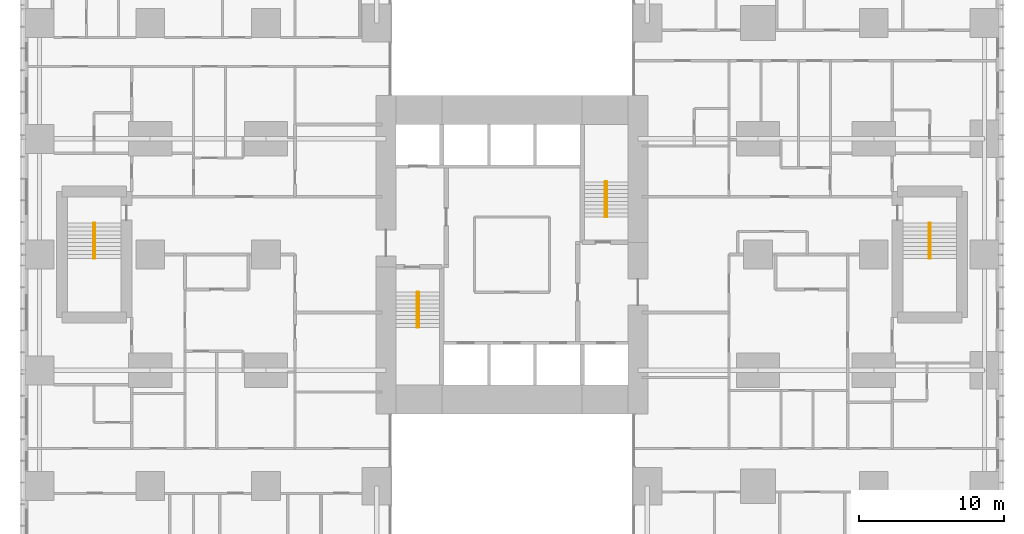
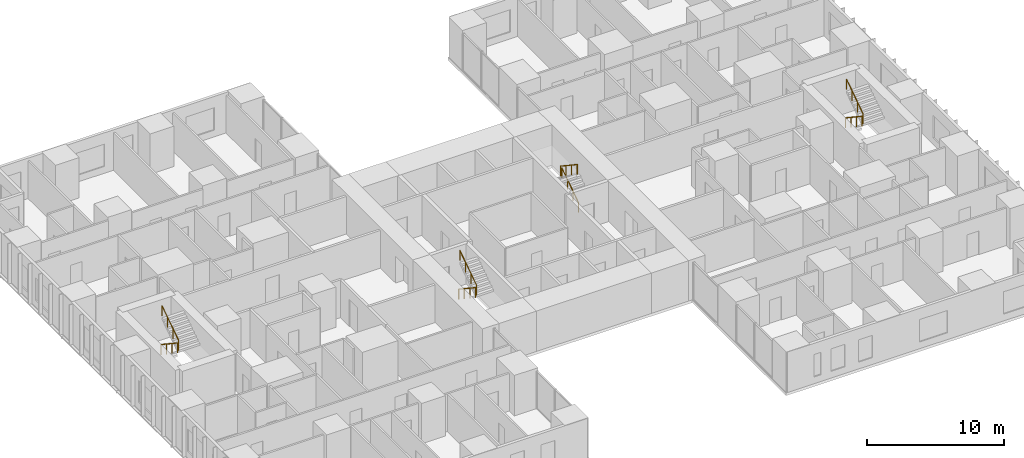
# One storey, part 20 of 20: 8 railings.
"""IFC4 building model written with IfcOpenShell, lengths in metres."""

from ifc_helpers import new_model, si_unit, direction, frame, origin, origin_2d, place, context, subcontext, project, spatial, circle, extrude, material, type_object, element, save


model = new_model("IFC4")

# Units and contexts
model_context = context("Model", 3, precision=1e-05, world=origin(), true_north=direction((0.0, 1.0)))
body_context = subcontext(model_context, "Body", "Model", "MODEL_VIEW")
ifc_project = project(units=[si_unit("LENGTHUNIT", "METRE"), si_unit("AREAUNIT", "SQUARE_METRE"), si_unit("VOLUMEUNIT", "CUBIC_METRE"), si_unit("PLANEANGLEUNIT", "RADIAN"), si_unit("MASSUNIT", "GRAM", prefix="KILO")], contexts=[model_context])

# Site, building, storey
site_placement = place(None, origin())
site = spatial("IfcSite", under=ifc_project, at=site_placement, CompositionType="ELEMENT")
building_placement = place(site_placement, origin())
building = spatial("IfcBuilding", under=site, at=building_placement, Name="Cleftline Residences", CompositionType="ELEMENT")
storey_placement = place(building_placement, frame((0.0, 0.0, 33.199951171875)))
storey = spatial("IfcBuildingStorey", under=building, at=storey_placement, Name="L07", CompositionType="ELEMENT", Elevation=33.199951171875)

# Railings
ifc_material = material(Name="Stainless steel", Category="steel")
railing_type = type_object("IfcRailingType", Name="HANDRAIL 900", PredefinedType="HANDRAIL", material=ifc_material)
railing_1_placement = place(storey_placement, frame((26.449951171875, 21.39990234375, 0.179931640625)))
element("IfcRailing", 1, at=railing_1_placement, inside=storey, type_object=railing_type, Name="Stair handrail", PredefinedType="HANDRAIL", context=body_context, shape_type="SweptSolid", body=[
    extrude(circle(Radius=0.02392578125, at=origin_2d()), frame((0.0, 0.0, 0.8759765625), z_axis=(0.0, -0.832024571796, 0.554738778101), x_axis=(1.0, 0.0, 0.0)), (0.0, 0.0, 1.0), 2.92041015625),
    extrude(circle(Radius=0.02099609375, at=origin_2d()), origin(), (0.0, 0.0, 1.0), 0.851806640625),
    extrude(circle(Radius=0.02099609375, at=origin_2d()), frame((0.0, -0.81005859375, 0.5400390625)), (0.0, 0.0, 1.0), 0.851806640625),
    extrude(circle(Radius=0.02099609375, at=origin_2d()), frame((0.0, -1.619873046875, 1.080078125)), (0.0, 0.0, 1.0), 0.851806640625),
    extrude(circle(Radius=0.02099609375, at=origin_2d()), frame((0.0, -2.429931640625, 1.6201171875)), (0.0, 0.0, 1.0), 0.851806640625),
])
for number, where, name in (
    (2, (26.550048828125, 18.969970703125, 1.97998046875), "Stair handrail"),
    (3, (39.550048828125, 26.60009765625, 0.179931640625), "Stair handrail"),
):
    element("IfcRailing", number, at=place(storey_placement, frame(where)), inside=storey, type_object=railing_type, Name=name, PredefinedType="HANDRAIL", context=body_context, shape_type="SweptSolid", body=[
        extrude(circle(Radius=0.02392578125, at=origin_2d()), frame((0.0, 0.0, 0.8759765625), z_axis=(0.0, 0.832024571796, 0.554738778101), x_axis=(-1.0, 0.0, 0.0)), (0.0, 0.0, 1.0), 2.92041015625),
        extrude(circle(Radius=0.02099609375, at=origin_2d()), origin(), (0.0, 0.0, 1.0), 0.851806640625),
        extrude(circle(Radius=0.02099609375, at=origin_2d()), frame((0.0, 0.81005859375, 0.5400390625)), (0.0, 0.0, 1.0), 0.851806640625),
        extrude(circle(Radius=0.02099609375, at=origin_2d()), frame((0.0, 1.619873046875, 1.080078125)), (0.0, 0.0, 1.0), 0.851806640625),
        extrude(circle(Radius=0.02099609375, at=origin_2d()), frame((0.0, 2.429931640625, 1.6201171875)), (0.0, 0.0, 1.0), 0.851806640625),
    ])
for number, where, name in (
    (4, (39.449951171875, 29.030029296875, 1.97998046875), "Stair handrail"),
    (5, (61.824951171875, 26.175048828125, 0.179931640625), "Stair handrail"),
):
    element("IfcRailing", number, at=place(storey_placement, frame(where)), inside=storey, type_object=railing_type, Name=name, PredefinedType="HANDRAIL", context=body_context, shape_type="SweptSolid", body=[
        extrude(circle(Radius=0.02392578125, at=origin_2d()), frame((0.0, 0.0, 0.8759765625), z_axis=(0.0, -0.832024571796, 0.554738778101), x_axis=(1.0, 0.0, 0.0)), (0.0, 0.0, 1.0), 2.92041015625),
        extrude(circle(Radius=0.02099609375, at=origin_2d()), origin(), (0.0, 0.0, 1.0), 0.851806640625),
        extrude(circle(Radius=0.02099609375, at=origin_2d()), frame((0.0, -0.81005859375, 0.5400390625)), (0.0, 0.0, 1.0), 0.851806640625),
        extrude(circle(Radius=0.02099609375, at=origin_2d()), frame((0.0, -1.619873046875, 1.080078125)), (0.0, 0.0, 1.0), 0.851806640625),
        extrude(circle(Radius=0.02099609375, at=origin_2d()), frame((0.0, -2.429931640625, 1.6201171875)), (0.0, 0.0, 1.0), 0.851806640625),
    ])
railing_2_placement = place(storey_placement, frame((61.925048828125, 23.7451171875, 1.97998046875)))
element("IfcRailing", 6, at=railing_2_placement, inside=storey, type_object=railing_type, Name="Stair handrail", PredefinedType="HANDRAIL", context=body_context, shape_type="SweptSolid", body=[
    extrude(circle(Radius=0.02392578125, at=origin_2d()), frame((0.0, 0.0, 0.8759765625), z_axis=(0.0, 0.832024571796, 0.554738778101), x_axis=(-1.0, 0.0, 0.0)), (0.0, 0.0, 1.0), 2.92041015625),
    extrude(circle(Radius=0.02099609375, at=origin_2d()), origin(), (0.0, 0.0, 1.0), 0.851806640625),
    extrude(circle(Radius=0.02099609375, at=origin_2d()), frame((0.0, 0.81005859375, 0.5400390625)), (0.0, 0.0, 1.0), 0.851806640625),
    extrude(circle(Radius=0.02099609375, at=origin_2d()), frame((0.0, 1.619873046875, 1.080078125)), (0.0, 0.0, 1.0), 0.851806640625),
    extrude(circle(Radius=0.02099609375, at=origin_2d()), frame((0.0, 2.429931640625, 1.6201171875)), (0.0, 0.0, 1.0), 0.851806640625),
])
railing_3_placement = place(storey_placement, frame((4.074951171875, 26.175048828125, 0.179931640625)))
element("IfcRailing", 7, at=railing_3_placement, inside=storey, type_object=railing_type, Name="Stair handrail", PredefinedType="HANDRAIL", context=body_context, shape_type="SweptSolid", body=[
    extrude(circle(Radius=0.02392578125, at=origin_2d()), frame((0.0, 0.0, 0.8759765625), z_axis=(0.0, -0.832024571796, 0.554738778101), x_axis=(1.0, 0.0, 0.0)), (0.0, 0.0, 1.0), 2.92041015625),
    extrude(circle(Radius=0.02099609375, at=origin_2d()), origin(), (0.0, 0.0, 1.0), 0.851806640625),
    extrude(circle(Radius=0.02099609375, at=origin_2d()), frame((0.0, -0.81005859375, 0.5400390625)), (0.0, 0.0, 1.0), 0.851806640625),
    extrude(circle(Radius=0.02099609375, at=origin_2d()), frame((0.0, -1.619873046875, 1.080078125)), (0.0, 0.0, 1.0), 0.851806640625),
    extrude(circle(Radius=0.02099609375, at=origin_2d()), frame((0.0, -2.429931640625, 1.6201171875)), (0.0, 0.0, 1.0), 0.851806640625),
])
railing_4_placement = place(storey_placement, frame((4.175048828125, 23.7451171875, 1.97998046875)))
element("IfcRailing", 8, at=railing_4_placement, inside=storey, type_object=railing_type, Name="Stair handrail", PredefinedType="HANDRAIL", context=body_context, shape_type="SweptSolid", body=[
    extrude(circle(Radius=0.02392578125, at=origin_2d()), frame((0.0, 0.0, 0.8759765625), z_axis=(0.0, 0.832024571796, 0.554738778101), x_axis=(-1.0, 0.0, 0.0)), (0.0, 0.0, 1.0), 2.92041015625),
    extrude(circle(Radius=0.02099609375, at=origin_2d()), origin(), (0.0, 0.0, 1.0), 0.851806640625),
    extrude(circle(Radius=0.02099609375, at=origin_2d()), frame((0.0, 0.81005859375, 0.5400390625)), (0.0, 0.0, 1.0), 0.851806640625),
    extrude(circle(Radius=0.02099609375, at=origin_2d()), frame((0.0, 1.619873046875, 1.080078125)), (0.0, 0.0, 1.0), 0.851806640625),
    extrude(circle(Radius=0.02099609375, at=origin_2d()), frame((0.0, 2.429931640625, 1.6201171875)), (0.0, 0.0, 1.0), 0.851806640625),
])

save(model, "model.ifc")
